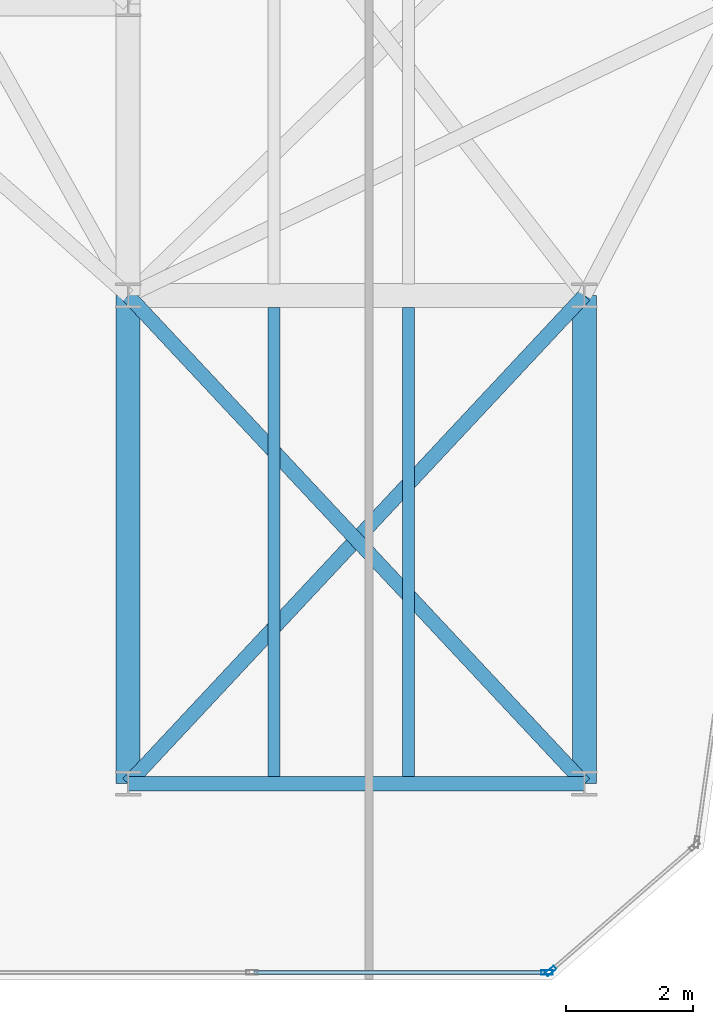
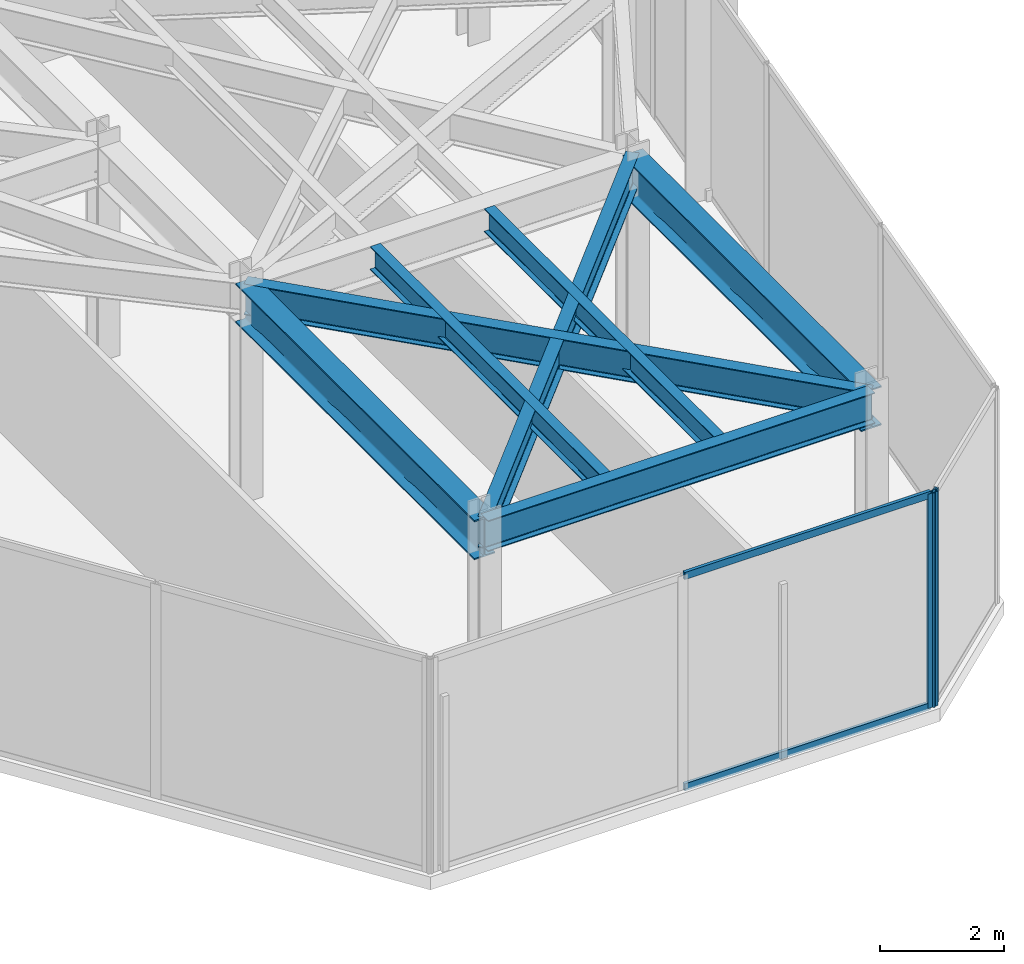
# One storey, part 15 of 25: 7 beams, 4 members, 2 elements without a shape of their own.
"""IFC4 building model written with IfcOpenShell, lengths in metres."""

from ifc_helpers import new_model, si_unit, direction, frame, origin, origin_2d, place, context, subcontext, project, spatial, hollow_rectangle, i_section, extrude, material, layer, layer_set, material_profile, profile_set, type_object, element, aggregate, save


model = new_model("IFC4")

# Units and contexts
model_context = context("Model", 3, precision=1e-05, world=origin(), true_north=direction((0.0, 1.0)))
body_context = subcontext(model_context, "Body", "Model", "MODEL_VIEW")
ifc_project = project(units=[si_unit("LENGTHUNIT", "METRE"), si_unit("AREAUNIT", "SQUARE_METRE"), si_unit("VOLUMEUNIT", "CUBIC_METRE"), si_unit("PLANEANGLEUNIT", "RADIAN"), si_unit("MASSUNIT", "GRAM", prefix="KILO")], contexts=[model_context])

# Site, building, storey
site_placement = place(None, origin())
site = spatial("IfcSite", under=ifc_project, at=site_placement, CompositionType="ELEMENT")
building_placement = place(site_placement, origin())
building = spatial("IfcBuilding", under=site, at=building_placement, Name="Kravanh Interchange Tower", CompositionType="ELEMENT")
storey_placement = place(building_placement, frame((0.0, 0.0, 220.5)))
storey = spatial("IfcBuildingStorey", under=building, at=storey_placement, Name="L53", CompositionType="ELEMENT", Elevation=220.5)

# Curtain wall, member
ifc_material_1 = material(Name="Anodised Bronze Aluminium", Category="aluminium")
ifc_layer = layer(ifc_material_1, 0.179931640625)
ifc_layer_set = layer_set([ifc_layer], Name="Unitised Curtain Wall System CW-SKY Sky Observatory")
curtain_wall_type = type_object("IfcCurtainWallType", Name="Unitised Curtain Wall System CW-SKY Sky Observatory", PredefinedType="NOTDEFINED", material=ifc_layer_set)
curtain_wall_1_placement = place(storey_placement, origin())
curtain_wall_1 = element("IfcCurtainWall", 1, at=curtain_wall_1_placement, inside=storey, type_object=curtain_wall_type, Name="L53 Unitised Curtain Wall CW-L53-03", PredefinedType="NOTDEFINED")
ifc_material_2 = material(Name="Anodised Bronze Aluminium", Category="aluminium")
ifc_material_profile_1 = material_profile(ifc_material_2, hollow_rectangle(XDim=0.070068359375, YDim=0.179931640625, WallThickness=0.00390625, at=origin_2d()), Name="ALU70X180X4")
ifc_profile_set_1 = profile_set([ifc_material_profile_1], Name="Anodised Bronze Aluminium")
member_type_1 = type_object("IfcMemberType", Name="Curtain Wall Mullion ALU70X180X4 Bronze", PredefinedType="MULLION", material=ifc_profile_set_1)
member_1_placement = place(storey_placement, frame((62.66748046875, 11.54296875, 0.0), z_axis=(0.0, 0.0, 1.0), x_axis=(0.65605090137, -0.754716645379, 0.0)))
member_1 = element("IfcMember", 2, at=member_1_placement, type_object=member_type_1, Name="CW-SKY mullion 2", PredefinedType="MULLION", context=body_context, shape_type="SweptSolid", body=[
    extrude(hollow_rectangle(XDim=0.070068359375, YDim=0.179931640625, WallThickness=0.00390625, at=origin_2d()), origin(), (0.0, 0.0, 1.0), 4.219970703125),
])
aggregate(curtain_wall_1, [member_1])

# Curtain wall, members
curtain_wall_2_placement = place(storey_placement, origin())
curtain_wall_2 = element("IfcCurtainWall", 3, at=curtain_wall_2_placement, inside=storey, type_object=curtain_wall_type, Name="L53 Unitised Curtain Wall CW-L53-04", PredefinedType="NOTDEFINED")
member_2_placement = place(storey_placement, frame((62.60595703125, 11.52001953125, 0.0), z_axis=(0.0, 0.0, 1.0), x_axis=(0.0, -1.0, 0.0)))
member_2 = element("IfcMember", 4, at=member_2_placement, type_object=member_type_1, Name="CW-SKY mullion 1", PredefinedType="MULLION", context=body_context, shape_type="SweptSolid", body=[
    extrude(hollow_rectangle(XDim=0.070068359375, YDim=0.179931640625, WallThickness=0.00390625, at=origin_2d()), origin(), (0.0, 0.0, 1.0), 4.219970703125),
])
ifc_material_3 = material(Name="Anodised Bronze Aluminium", Category="aluminium")
ifc_material_profile_2 = material_profile(ifc_material_3, hollow_rectangle(XDim=0.06005859375, YDim=0.139892578125, WallThickness=0.00390625, at=origin_2d()), Name="ALU60X140X4")
ifc_profile_set_2 = profile_set([ifc_material_profile_2], Name="Anodised Bronze Aluminium")
member_type_2 = type_object("IfcMemberType", Name="Curtain Wall Transom ALU60X140X4 Bronze", PredefinedType="USERDEFINED", material=ifc_profile_set_2)
member_3_placement = place(storey_placement, frame((62.571044921875, 11.52001953125, 0.030029296875), z_axis=(-1.0, 0.0, 0.0), x_axis=(0.0, -1.0, 0.0)))
member_3 = element("IfcMember", 5, at=member_3_placement, type_object=member_type_2, Name="CW-SKY transom 1.1", ObjectType="TRANSOM", PredefinedType="USERDEFINED", context=body_context, shape_type="SweptSolid", body=[
    extrude(hollow_rectangle(XDim=0.06005859375, YDim=0.139892578125, WallThickness=0.00390625, at=origin_2d()), origin(), (0.0, 0.0, 1.0), 4.583984375),
])
member_4_placement = place(storey_placement, frame((62.571044921875, 11.52001953125, 4.18994140625), z_axis=(-1.0, 0.0, 0.0), x_axis=(0.0, -1.0, 0.0)))
member_4 = element("IfcMember", 6, at=member_4_placement, type_object=member_type_2, Name="CW-SKY transom 1.2", ObjectType="TRANSOM", PredefinedType="USERDEFINED", context=body_context, shape_type="SweptSolid", body=[
    extrude(hollow_rectangle(XDim=0.06005859375, YDim=0.139892578125, WallThickness=0.00390625, at=origin_2d()), origin(), (0.0, 0.0, 1.0), 4.583984375),
])
aggregate(curtain_wall_2, [member_2, member_3, member_4])

# Beams
ifc_material_4 = material(Name="Structural Steel S355", Category="steel")
ifc_material_profile_3 = material_profile(ifc_material_4, i_section(OverallWidth=0.381103515625, OverallDepth=0.77294921875, WebThickness=0.0166015625, FlangeThickness=0.027099609375, FilletRadius=0.02490234375, at=origin_2d()), Name="W30X173")
ifc_profile_set_3 = profile_set([ifc_material_profile_3], Name="Structural Steel S355")
beam_type_1 = type_object("IfcBeamType", Name="Floor Beam W30X173 Structural Steel S355", PredefinedType="BEAM", material=ifc_profile_set_3)
for number, where, z_axis, x_axis, name in (
    (7, (56.0, 14.5, 3.83349609375), (0.0, 1.0, 0.0), (-1.0, 0.0, 0.0), "L53 Primary Floor Girder 87"),
    (8, (63.199951171875, 14.5, 3.83349609375), (0.0, 1.0, 0.0), (-1.0, 0.0, 0.0), "L53 Primary Floor Girder 89"),
):
    element("IfcBeam", number, at=place(storey_placement, frame(where, z_axis=z_axis, x_axis=x_axis)), inside=storey, type_object=beam_type_1, Name=name, PredefinedType="BEAM", context=body_context, shape_type="SweptSolid", body=[
        extrude(i_section(OverallWidth=0.381103515625, OverallDepth=0.77294921875, WebThickness=0.0166015625, FlangeThickness=0.027099609375, FilletRadius=0.02490234375, at=origin_2d()), origin(), (0.0, 0.0, 1.0), 7.699951171875),
    ])
ifc_material_5 = material(Name="Structural Steel S355", Category="steel")
ifc_material_profile_4 = material_profile(ifc_material_5, i_section(OverallWidth=0.18994140625, OverallDepth=0.45703125, WebThickness=0.009033203125, FlangeThickness=0.014404296875, FilletRadius=0.01806640625, at=origin_2d()), Name="W18X50")
ifc_profile_set_4 = profile_set([ifc_material_profile_4], Name="Structural Steel S355")
beam_type_2 = type_object("IfcBeamType", Name="Floor Joist W18X50 Structural Steel S355", PredefinedType="JOIST", material=ifc_profile_set_4)
for number, where, z_axis, x_axis, name in (
    (9, (58.302001953125, 14.60888671875, 3.991455078125), (0.0, 1.0, 0.0), (-1.0, 0.0, 0.0), "L53 Secondary Floor Joist 3"),
    (10, (60.426025390625, 14.60888671875, 3.991455078125), (0.0, 1.0, 0.0), (-1.0, 0.0, 0.0), "L53 Secondary Floor Joist 4"),
):
    element("IfcBeam", number, at=place(storey_placement, frame(where, z_axis=z_axis, x_axis=x_axis)), inside=storey, type_object=beam_type_2, Name=name, PredefinedType="JOIST", context=body_context, shape_type="SweptSolid", body=[
        extrude(i_section(OverallWidth=0.18994140625, OverallDepth=0.45703125, WebThickness=0.009033203125, FlangeThickness=0.014404296875, FilletRadius=0.01806640625, at=origin_2d()), origin(), (0.0, 0.0, 1.0), 7.405517578125),
    ])
ifc_material_6 = material(Name="Structural Steel S355", Category="steel")
ifc_material_profile_5 = material_profile(ifc_material_6, i_section(OverallWidth=0.22802734375, OverallDepth=0.60791015625, WebThickness=0.01123046875, FlangeThickness=0.017333984375, FilletRadius=0.02197265625, at=origin_2d()), Name="W24X76")
ifc_profile_set_5 = profile_set([ifc_material_profile_5], Name="Structural Steel S355")
beam_type_3 = type_object("IfcBeamType", Name="Floor Spandrel W24X76 Structural Steel S355", PredefinedType="SPANDREL", material=ifc_profile_set_5)
beam_placement = place(storey_placement, frame((56.0, 14.5, 3.916015625), z_axis=(1.0, 0.0, 0.0), x_axis=(0.0, 1.0, 0.0)))
element("IfcBeam", 11, at=beam_placement, inside=storey, type_object=beam_type_3, Name="L53 Perimeter Spandrel 86", PredefinedType="SPANDREL", context=body_context, shape_type="SweptSolid", body=[
    extrude(i_section(OverallWidth=0.22802734375, OverallDepth=0.60791015625, WebThickness=0.01123046875, FlangeThickness=0.017333984375, FilletRadius=0.02197265625, at=origin_2d()), origin(), (0.0, 0.0, 1.0), 7.199951171875),
])
for number, where, z_axis, x_axis, name in (
    (12, (56.0, 14.5, 3.916015625), (0.682993762113, 0.73042420614, 0.0), (-0.73042420614, 0.682993762113, 0.0), "L53 Perimeter Spandrel 88"),
    (13, (63.199951171875, 14.5, 3.916015625), (-0.682993762113, 0.73042420614, 0.0), (-0.73042420614, -0.682993762113, 0.0), "L53 Perimeter Spandrel 90"),
):
    element("IfcBeam", number, at=place(storey_placement, frame(where, z_axis=z_axis, x_axis=x_axis)), inside=storey, type_object=beam_type_3, Name=name, PredefinedType="SPANDREL", context=body_context, shape_type="SweptSolid", body=[
        extrude(i_section(OverallWidth=0.22802734375, OverallDepth=0.60791015625, WebThickness=0.01123046875, FlangeThickness=0.017333984375, FilletRadius=0.02197265625, at=origin_2d()), origin(), (0.0, 0.0, 1.0), 10.541748046875),
    ])

save(model, "model.ifc")
